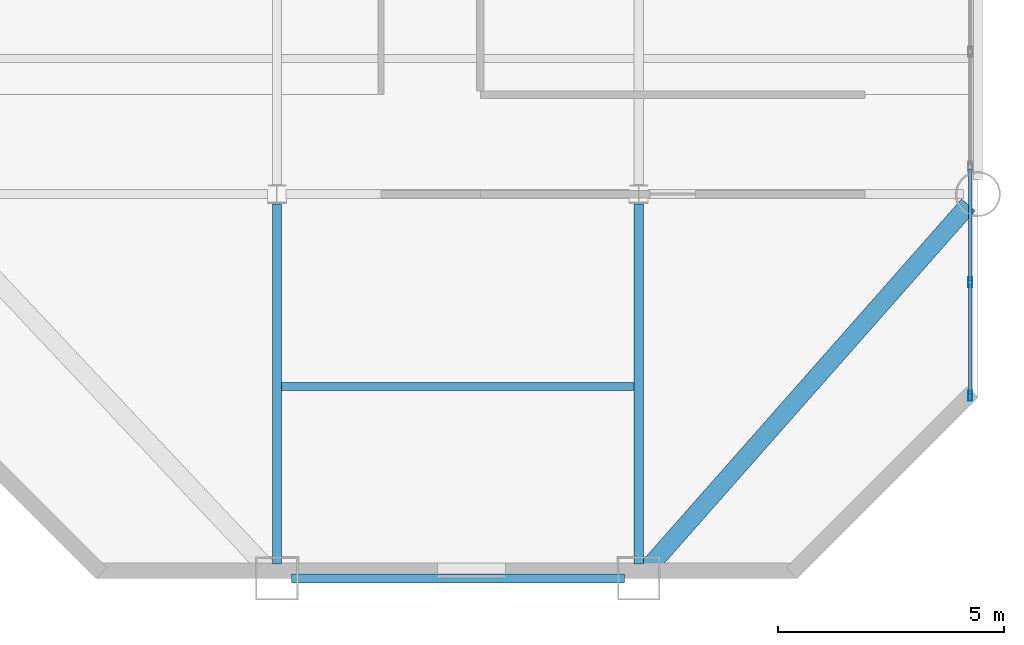
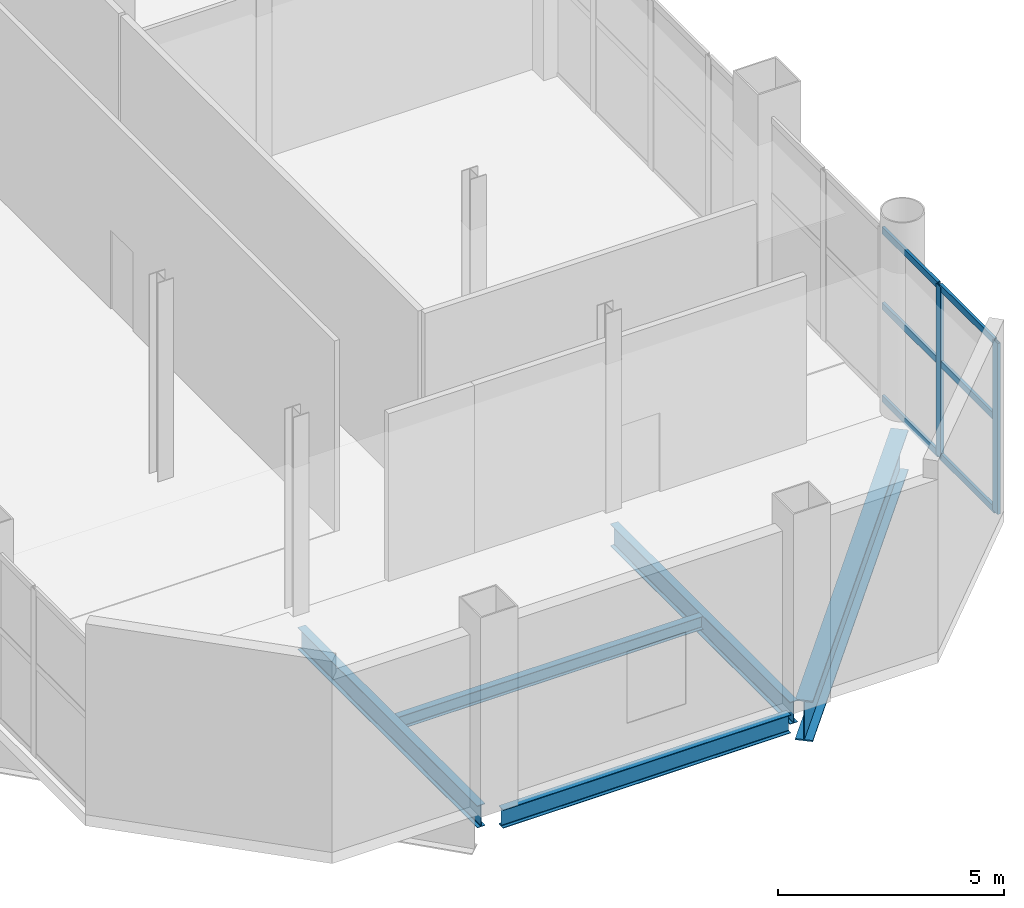
# One storey, part 6 of 22: 8 members, 5 beams, 1 element without a shape of its own.
"""IFC4 building model written with IfcOpenShell, lengths in metres."""

from ifc_helpers import new_model, si_unit, direction, frame, origin, origin_2d, place, context, subcontext, project, spatial, hollow_rectangle, i_section, extrude, material, layer, layer_set, material_profile, profile_set, type_object, element, aggregate, save


model = new_model("IFC4")

# Units and contexts
model_context = context("Model", 3, precision=1e-05, world=origin(), true_north=direction((0.0, 1.0)))
body_context = subcontext(model_context, "Body", "Model", "MODEL_VIEW")
ifc_project = project(units=[si_unit("LENGTHUNIT", "METRE"), si_unit("AREAUNIT", "SQUARE_METRE"), si_unit("VOLUMEUNIT", "CUBIC_METRE"), si_unit("PLANEANGLEUNIT", "RADIAN"), si_unit("MASSUNIT", "GRAM", prefix="KILO")], contexts=[model_context])

# Site, building, storey
site_placement = place(None, origin())
site = spatial("IfcSite", under=ifc_project, at=site_placement, CompositionType="ELEMENT")
building_placement = place(site_placement, origin())
building = spatial("IfcBuilding", under=site, at=building_placement, Name="Qianrong Seaharbour Tower", CompositionType="ELEMENT")
storey_placement = place(building_placement, frame((0.0, 0.0, 113.60009765625)))
storey = spatial("IfcBuildingStorey", under=building, at=storey_placement, Name="L27", CompositionType="ELEMENT", Elevation=113.60009765625)

# Beams
ifc_material_1 = material(Name="Structural steel SN490B", Category="steel")
ifc_material_profile_1 = material_profile(ifc_material_1, i_section(OverallWidth=0.199951171875, OverallDepth=0.60009765625, WebThickness=0.010986328125, FlangeThickness=0.01708984375, FilletRadius=0.02197265625, at=origin_2d()), Name="H600x200x11x17")
ifc_profile_set_1 = profile_set([ifc_material_profile_1], Name="Structural steel SN490B")
beam_type_1 = type_object("IfcBeamType", Name="BM-G-600", PredefinedType="BEAM", material=ifc_profile_set_1)
for number, where, z_axis, x_axis, name in (
    (1, (48.5, 4.320068359375, -0.60009765625), (0.0, 1.0, 0.0), (-1.0, 0.0, 0.0), "L27 Primary Girder G7 GB-GC"),
    (2, (56.5, 4.320068359375, -0.60009765625), (0.0, 1.0, 0.0), (-1.0, 0.0, 0.0), "L27 Primary Girder G8 GB-GC"),
):
    element("IfcBeam", number, at=place(storey_placement, frame(where, z_axis=z_axis, x_axis=x_axis)), inside=storey, type_object=beam_type_1, Name=name, PredefinedType="BEAM", context=body_context, shape_type="SweptSolid", body=[
        extrude(i_section(OverallWidth=0.199951171875, OverallDepth=0.60009765625, WebThickness=0.010986328125, FlangeThickness=0.01708984375, FilletRadius=0.02197265625, at=origin_2d()), origin(), (0.0, 0.0, 1.0), 7.9658203125),
    ])
ifc_material_2 = material(Name="Structural steel SN400B", Category="steel")
ifc_material_profile_2 = material_profile(ifc_material_2, i_section(OverallWidth=0.175048828125, OverallDepth=0.35009765625, WebThickness=0.007080078125, FlangeThickness=0.010986328125, FilletRadius=0.013916015625, at=origin_2d()), Name="H350x175x7x11")
ifc_profile_set_2 = profile_set([ifc_material_profile_2], Name="Structural steel SN400B")
beam_type_2 = type_object("IfcBeamType", Name="BM-J-350", PredefinedType="JOIST", material=ifc_profile_set_2)
beam_1_placement = place(storey_placement, frame((48.60009765625, 8.25, -0.47509765625), z_axis=(1.0, 0.0, 0.0), x_axis=(0.0, 1.0, 0.0)))
element("IfcBeam", 3, at=beam_1_placement, inside=storey, type_object=beam_type_2, Name="L27 Composite Floor Joist G7-G8/GB-GC", PredefinedType="JOIST", context=body_context, shape_type="SweptSolid", body=[
    extrude(i_section(OverallWidth=0.175048828125, OverallDepth=0.35009765625, WebThickness=0.007080078125, FlangeThickness=0.010986328125, FilletRadius=0.013916015625, at=origin_2d()), origin(), (0.0, 0.0, 1.0), 7.7998046875),
])
ifc_material_profile_3 = material_profile(ifc_material_1, i_section(OverallWidth=0.199951171875, OverallDepth=0.5, WebThickness=0.010009765625, FlangeThickness=0.01611328125, FilletRadius=0.02001953125, at=origin_2d()), Name="H500x200x10x16")
ifc_profile_set_3 = profile_set([ifc_material_profile_3], Name="Structural steel SN490B")
beam_type_3 = type_object("IfcBeamType", Name="BM-SP-500", PredefinedType="SPANDREL", material=ifc_profile_set_3)
beam_2_placement = place(storey_placement, frame((48.820068359375, 4.0, -0.550048828125), z_axis=(1.0, 0.0, 0.0), x_axis=(0.0, 1.0, 0.0)))
element("IfcBeam", 4, at=beam_2_placement, inside=storey, type_object=beam_type_3, Name="L27 Spandrel Girder GB G7-G8", PredefinedType="SPANDREL", context=body_context, shape_type="SweptSolid", body=[
    extrude(i_section(OverallWidth=0.199951171875, OverallDepth=0.5, WebThickness=0.010009765625, FlangeThickness=0.01611328125, FilletRadius=0.02001953125, at=origin_2d()), origin(), (0.0, 0.0, 1.0), 7.35986328125),
])
ifc_material_profile_4 = material_profile(ifc_material_1, i_section(OverallWidth=0.39990234375, OverallDepth=1.10009765625, WebThickness=0.02001953125, FlangeThickness=0.035888671875, at=origin_2d()), Name="BH1100x400x20x36")
ifc_profile_set_4 = profile_set([ifc_material_profile_4], Name="Structural steel SN490B")
beam_type_4 = type_object("IfcBeamType", Name="BM-TG-1100", PredefinedType="BEAM", material=ifc_profile_set_4)
beam_3_placement = place(storey_placement, frame((56.711669921875, 4.239990234375, -0.85009765625), z_axis=(0.661630696334, 0.749829861815, 0.0), x_axis=(-0.749829861815, 0.661630696334, 0.0)))
element("IfcBeam", 5, at=beam_3_placement, inside=storey, type_object=beam_type_4, Name="L27 Chamfer Corner Spandrel Girder G9/GB", PredefinedType="BEAM", context=body_context, shape_type="SweptSolid", body=[
    extrude(i_section(OverallWidth=0.39990234375, OverallDepth=1.10009765625, WebThickness=0.02001953125, FlangeThickness=0.035888671875, at=origin_2d()), origin(), (0.0, 0.0, 1.0), 10.69580078125),
])

# Curtain wall, members
ifc_material_3 = material(Name="Anodised aluminium 6063-T6 and laminated low-e glass", Category="aluminium")
ifc_layer = layer(ifc_material_3, 0.2099609375)
ifc_layer_set = layer_set([ifc_layer], Name="Anodised aluminium 6063-T6 and laminated low-e glass")
curtain_wall_type = type_object("IfcCurtainWallType", Name="CW-SYS-2", PredefinedType="NOTDEFINED", material=ifc_layer_set)
curtain_wall_placement = place(storey_placement, origin())
curtain_wall = element("IfcCurtainWall", 6, at=curtain_wall_placement, inside=storey, type_object=curtain_wall_type, Name="L27 Sky-Lobby Feature Curtain Wall EAST_WING", PredefinedType="NOTDEFINED")
ifc_material_4 = material(Name="Extruded aluminium 6063-T6", Category="aluminium")
ifc_material_profile_5 = material_profile(ifc_material_4, hollow_rectangle(XDim=0.080078125, YDim=0.219970703125, WallThickness=0.0048828125, at=origin_2d()), Name="ALU-MUL-220x80x5")
ifc_profile_set_5 = profile_set([ifc_material_profile_5], Name="Extruded aluminium 6063-T6")
member_type_1 = type_object("IfcMemberType", Name="CW-MUL-220", PredefinedType="MULLION", material=ifc_profile_set_5)
member_1_placement = place(storey_placement, frame((63.830078125, 10.550048828125, 0.0), z_axis=(0.0, 0.0, 1.0), x_axis=(1.0, 0.0, 0.0)))
member_1 = element("IfcMember", 7, at=member_1_placement, type_object=member_type_1, Name="CW-2 mullion 11", PredefinedType="MULLION", context=body_context, shape_type="SweptSolid", body=[
    extrude(hollow_rectangle(XDim=0.080078125, YDim=0.219970703125, WallThickness=0.0048828125, at=origin_2d()), origin(), (0.0, 0.0, 1.0), 4.625),
])
member_2_placement = place(storey_placement, frame((63.830078125, 8.0400390625, 0.0), z_axis=(0.0, 0.0, 1.0), x_axis=(1.0, 0.0, 0.0)))
member_2 = element("IfcMember", 8, at=member_2_placement, type_object=member_type_1, Name="CW-2 mullion 12", PredefinedType="MULLION", context=body_context, shape_type="SweptSolid", body=[
    extrude(hollow_rectangle(XDim=0.080078125, YDim=0.219970703125, WallThickness=0.0048828125, at=origin_2d()), origin(), (0.0, 0.0, 1.0), 4.625),
])
ifc_material_profile_6 = material_profile(ifc_material_4, hollow_rectangle(XDim=0.070068359375, YDim=0.179931640625, WallThickness=0.00390625, at=origin_2d()), Name="ALU-TRN-180x70x4")
ifc_profile_set_6 = profile_set([ifc_material_profile_6], Name="Extruded aluminium 6063-T6")
member_type_2 = type_object("IfcMemberType", Name="CW-TRN-180", PredefinedType="USERDEFINED", material=ifc_profile_set_6)
member_3_placement = place(storey_placement, frame((63.830078125, 13.06005859375, 0.034912109375), z_axis=(0.0, -1.0, 0.0), x_axis=(1.0, 0.0, 0.0)))
member_3 = element("IfcMember", 9, at=member_3_placement, type_object=member_type_2, Name="CW-2 transom 10.1", ObjectType="TRANSOM", PredefinedType="USERDEFINED", context=body_context, shape_type="SweptSolid", body=[
    extrude(hollow_rectangle(XDim=0.070068359375, YDim=0.179931640625, WallThickness=0.00390625, at=origin_2d()), origin(), (0.0, 0.0, 1.0), 2.469970703125),
])
member_4_placement = place(storey_placement, frame((63.830078125, 13.06005859375, 2.543701171875), z_axis=(0.0, -1.0, 0.0), x_axis=(1.0, 0.0, 0.0)))
member_4 = element("IfcMember", 10, at=member_4_placement, type_object=member_type_2, Name="CW-2 transom 10.2", ObjectType="TRANSOM", PredefinedType="USERDEFINED", context=body_context, shape_type="SweptSolid", body=[
    extrude(hollow_rectangle(XDim=0.070068359375, YDim=0.179931640625, WallThickness=0.00390625, at=origin_2d()), origin(), (0.0, 0.0, 1.0), 2.469970703125),
])
member_5_placement = place(storey_placement, frame((63.830078125, 13.06005859375, 4.58984375), z_axis=(0.0, -1.0, 0.0), x_axis=(1.0, 0.0, 0.0)))
member_5 = element("IfcMember", 11, at=member_5_placement, type_object=member_type_2, Name="CW-2 transom 10.3", ObjectType="TRANSOM", PredefinedType="USERDEFINED", context=body_context, shape_type="SweptSolid", body=[
    extrude(hollow_rectangle(XDim=0.070068359375, YDim=0.179931640625, WallThickness=0.00390625, at=origin_2d()), origin(), (0.0, 0.0, 1.0), 2.469970703125),
])
member_6_placement = place(storey_placement, frame((63.830078125, 10.510009765625, 0.034912109375), z_axis=(0.0, -1.0, 0.0), x_axis=(1.0, 0.0, 0.0)))
member_6 = element("IfcMember", 12, at=member_6_placement, type_object=member_type_2, Name="CW-2 transom 11.1", ObjectType="TRANSOM", PredefinedType="USERDEFINED", context=body_context, shape_type="SweptSolid", body=[
    extrude(hollow_rectangle(XDim=0.070068359375, YDim=0.179931640625, WallThickness=0.00390625, at=origin_2d()), origin(), (0.0, 0.0, 1.0), 2.429931640625),
])
member_7_placement = place(storey_placement, frame((63.830078125, 10.510009765625, 2.543701171875), z_axis=(0.0, -1.0, 0.0), x_axis=(1.0, 0.0, 0.0)))
member_7 = element("IfcMember", 13, at=member_7_placement, type_object=member_type_2, Name="CW-2 transom 11.2", ObjectType="TRANSOM", PredefinedType="USERDEFINED", context=body_context, shape_type="SweptSolid", body=[
    extrude(hollow_rectangle(XDim=0.070068359375, YDim=0.179931640625, WallThickness=0.00390625, at=origin_2d()), origin(), (0.0, 0.0, 1.0), 2.429931640625),
])
member_8_placement = place(storey_placement, frame((63.830078125, 10.510009765625, 4.58984375), z_axis=(0.0, -1.0, 0.0), x_axis=(1.0, 0.0, 0.0)))
member_8 = element("IfcMember", 14, at=member_8_placement, type_object=member_type_2, Name="CW-2 transom 11.3", ObjectType="TRANSOM", PredefinedType="USERDEFINED", context=body_context, shape_type="SweptSolid", body=[
    extrude(hollow_rectangle(XDim=0.070068359375, YDim=0.179931640625, WallThickness=0.00390625, at=origin_2d()), origin(), (0.0, 0.0, 1.0), 2.429931640625),
])
aggregate(curtain_wall, [member_1, member_2, member_3, member_4, member_5, member_6, member_7, member_8])

save(model, "model.ifc")
